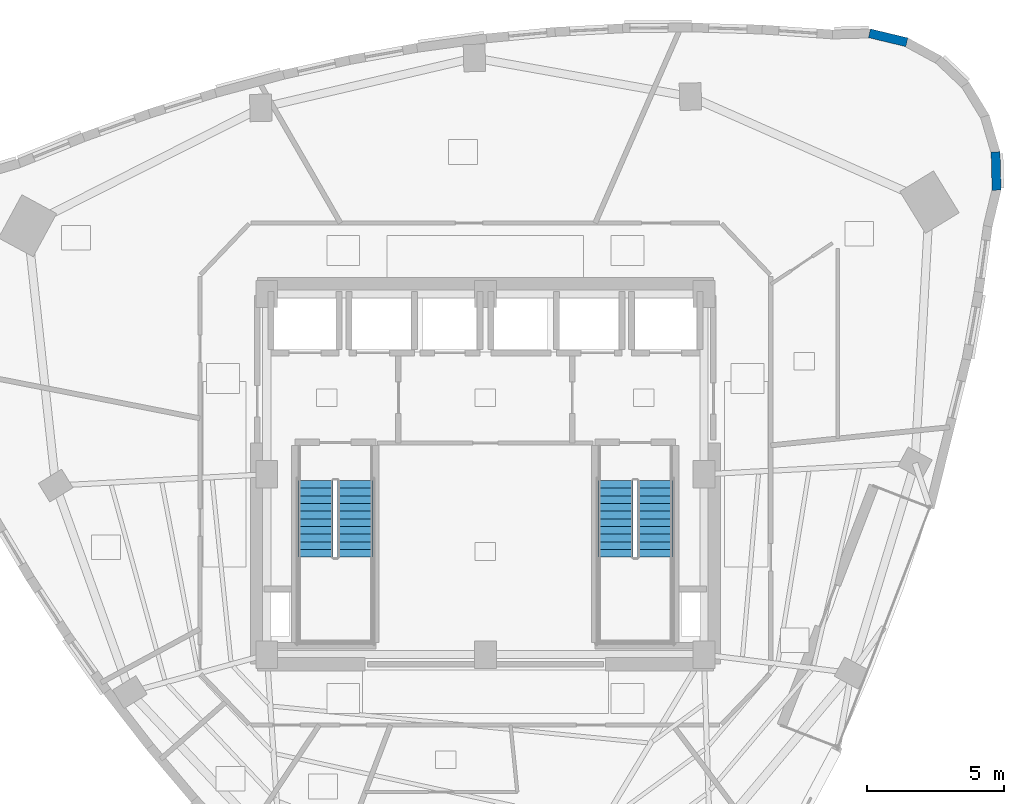
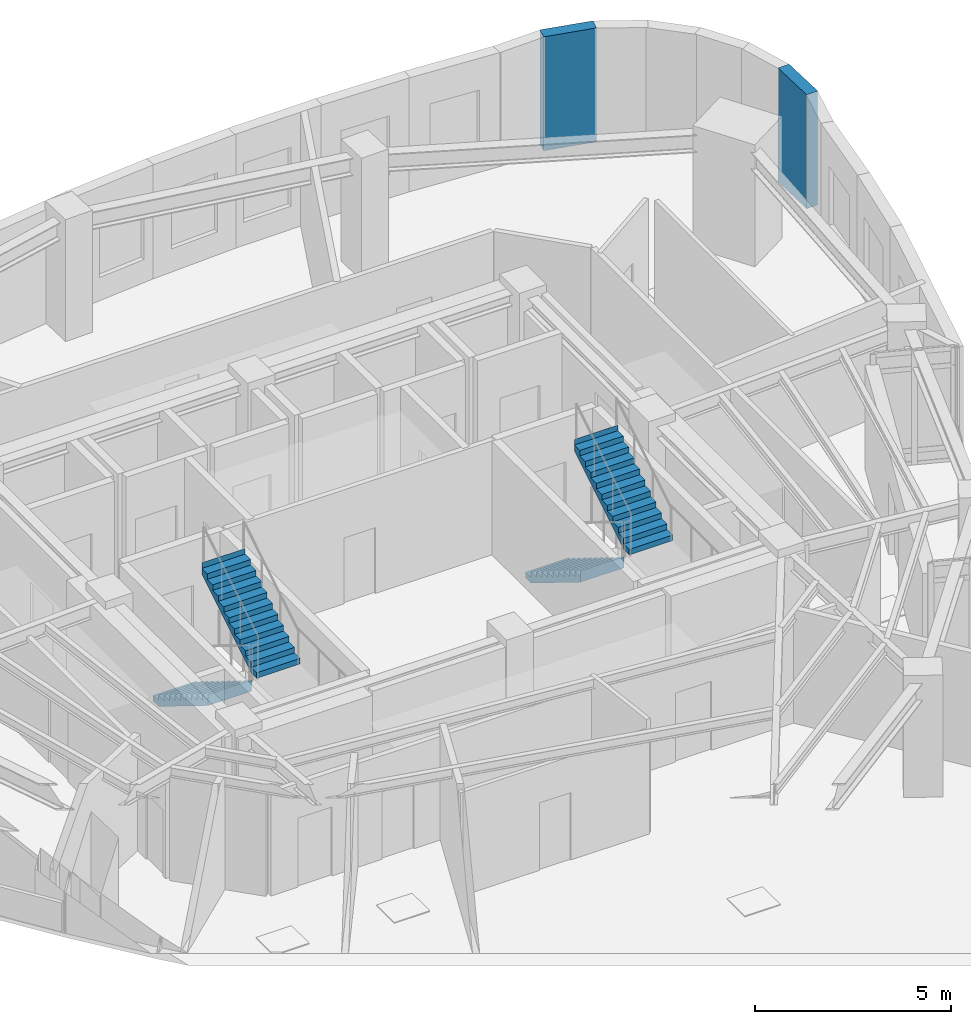
# One storey, part 7 of 10: 4 stair flights, 2 walls, 2 elements without a shape of their own.
"""IFC4 building model written with IfcOpenShell, lengths in metres."""

from ifc_helpers import new_model, si_unit, direction, frame, frame_2d, origin, place, context, subcontext, project, spatial, polyline, rectangle, outline, extrude, material, layer, layer_set, type_object, element, aggregate, save


model = new_model("IFC4")

# Units and contexts
model_context = context("Model", 3, precision=1e-05, world=origin(), true_north=direction((0.0, 1.0)))
body_context = subcontext(model_context, "Body", "Model", "MODEL_VIEW")
ifc_project = project(units=[si_unit("LENGTHUNIT", "METRE"), si_unit("AREAUNIT", "SQUARE_METRE"), si_unit("VOLUMEUNIT", "CUBIC_METRE"), si_unit("PLANEANGLEUNIT", "RADIAN"), si_unit("MASSUNIT", "GRAM", prefix="KILO")], contexts=[model_context])

# Site, building, storey
site_placement = place(None, origin())
site = spatial("IfcSite", under=ifc_project, at=site_placement, CompositionType="ELEMENT")
building_placement = place(site_placement, origin())
building = spatial("IfcBuilding", under=site, at=building_placement, Name="Ndelora Gate Hotel", CompositionType="ELEMENT")
storey_placement = place(building_placement, frame((0.0, 0.0, 247.35009765625)))
storey = spatial("IfcBuildingStorey", under=building, at=storey_placement, Name="L62", CompositionType="ELEMENT", Elevation=247.35009765625)

# Walls
ifc_material_1 = material(Name="Clay Brick Masonry", Category="masonry")
ifc_layer = layer(ifc_material_1, 0.330078125)
ifc_layer_set = layer_set([ifc_layer], Name="Clay Brick Masonry")
wall_type = type_object("IfcWallType", Name="WL-BRICK-330", PredefinedType="SOLIDWALL", material=ifc_layer_set)
wall_1_placement = place(storey_placement, frame((18.6796875, 11.806396484375, 0.0), z_axis=(0.0, 0.0, 1.0), x_axis=(0.02619264168, -0.999656913907, 0.0)))
element("IfcWall", 1, at=wall_1_placement, inside=storey, type_object=wall_type, Name="L62 Tower Brick Pier-and-Spandrel Wall TWR-40", PredefinedType="SOLIDWALL", context=body_context, shape_type="SweptSolid", body=[
    extrude(rectangle(XDim=1.407470703125, YDim=0.330078125, at=frame_2d((0.70361328125, 0.0))), origin(), (0.0, 0.0, 1.0), 3.5498046875),
])
wall_2_placement = place(storey_placement, frame((14.063720703125, 16.145263671875, 0.0), z_axis=(0.0, 0.0, 1.0), x_axis=(0.972395175274, -0.233340144647, 0.0)))
element("IfcWall", 2, at=wall_2_placement, inside=storey, type_object=wall_type, Name="L62 Tower Brick Pier-and-Spandrel Wall TWR-45", PredefinedType="SOLIDWALL", context=body_context, shape_type="SweptSolid", body=[
    extrude(rectangle(XDim=1.4072265625, YDim=0.330078125, at=frame_2d((0.70361328125, 0.0))), origin(), (0.0, 0.0, 1.0), 3.5498046875),
])

# Stair, stair flights
ifc_material_2 = material(Name="Precast concrete C40/50", Category="concrete")
stair_type = type_object("IfcStairType", Name="STR-DOG-CORE", PredefinedType="HALF_TURN_STAIR", material=ifc_material_2)
stair_1_placement = place(storey_placement, origin())
stair_1 = element("IfcStair", 3, at=stair_1_placement, inside=storey, type_object=stair_type, Name="L62 Protected Core Exit Stair ST4", PredefinedType="HALF_TURN_STAIR")
stair_flight_type = type_object("IfcStairFlightType", Name="STF-PRECAST", PredefinedType="STRAIGHT", material=ifc_material_2)
stair_flight_1_placement = place(storey_placement, frame((-6.2099609375, -0.22998046875, 0.0), z_axis=(0.0, 0.0, 1.0), x_axis=(0.0, -1.0, 0.0)))
stair_flight_1 = element("IfcStairFlight", 4, at=stair_flight_1_placement, type_object=stair_flight_type, Name="ST4 flight 1", NumberOfRisers=11, NumberOfTreads=10, PredefinedType="STRAIGHT", RiserHeight=0.172727273, TreadLength=0.28, context=body_context, shape_type="SweptSolid", body=[
    extrude(outline(polyline([(-0.00048828125, 0.0), (-0.00048828125, 0.172607421875), (0.0, 0.172607421875), (0.280029296875, 0.172607421875), (0.280029296875, 0.345458984375), (0.56005859375, 0.345458984375), (0.56005859375, 0.51806640625), (0.840087890625, 0.51806640625), (0.840087890625, 0.69091796875), (1.1201171875, 0.69091796875), (1.1201171875, 0.863525390625), (1.39990234375, 0.863525390625), (1.39990234375, 1.036376953125), (1.679931640625, 1.036376953125), (1.679931640625, 1.208984375), (1.9599609375, 1.208984375), (1.9599609375, 1.3818359375), (2.239990234375, 1.3818359375), (2.239990234375, 1.554443359375), (2.52001953125, 1.554443359375), (2.52001953125, 1.727294921875), (2.800048828125, 1.727294921875), (2.800048828125, 1.89990234375), (2.800537109375, 1.89990234375), (2.800537109375, 1.719970703125), (2.800048828125, 1.551025390625), (0.285400390625, 0.0), (-0.00048828125, 0.0)])), frame((0.0, 0.64013671875, 0.0), z_axis=(0.0, -1.0, 0.0), x_axis=(1.0, 0.0, 0.0)), (0.0, 0.0, 1.0), 1.280029296875),
])
stair_flight_2_placement = place(storey_placement, frame((-4.77001953125, -3.030029296875, 1.89990234375), z_axis=(0.0, 0.0, 1.0), x_axis=(0.0, 1.0, 0.0)))
stair_flight_2 = element("IfcStairFlight", 5, at=stair_flight_2_placement, type_object=stair_flight_type, Name="ST4 flight 2", NumberOfRisers=11, NumberOfTreads=10, PredefinedType="STRAIGHT", RiserHeight=0.172727273, TreadLength=0.28, context=body_context, shape_type="SweptSolid", body=[
    extrude(outline(polyline([(-0.00048828125, 0.0), (-0.00048828125, 0.172607421875), (0.0, 0.172607421875), (0.280029296875, 0.172607421875), (0.280029296875, 0.345458984375), (0.56005859375, 0.345458984375), (0.56005859375, 0.51806640625), (0.840087890625, 0.51806640625), (0.840087890625, 0.69091796875), (1.1201171875, 0.69091796875), (1.1201171875, 0.863525390625), (1.39990234375, 0.863525390625), (1.39990234375, 1.036376953125), (1.679931640625, 1.036376953125), (1.679931640625, 1.208984375), (1.9599609375, 1.208984375), (1.9599609375, 1.3818359375), (2.239990234375, 1.3818359375), (2.239990234375, 1.554443359375), (2.52001953125, 1.554443359375), (2.52001953125, 1.727294921875), (2.800048828125, 1.727294921875), (2.800048828125, 1.89990234375), (2.800537109375, 1.89990234375), (2.800537109375, 1.719970703125), (2.800048828125, 1.551025390625), (0.285400390625, 0.0), (-0.00048828125, 0.0)])), frame((0.0, 0.64013671875, 0.0), z_axis=(0.0, -1.0, 0.0), x_axis=(1.0, 0.0, 0.0)), (0.0, 0.0, 1.0), 1.280029296875),
])
aggregate(stair_1, [stair_flight_1, stair_flight_2])

stair_2_placement = place(storey_placement, origin())
stair_2 = element("IfcStair", 6, at=stair_2_placement, inside=storey, type_object=stair_type, Name="L62 Protected Core Exit Stair ST5", PredefinedType="HALF_TURN_STAIR")
stair_flight_3_placement = place(storey_placement, frame((4.77001953125, -0.22998046875, 0.0), z_axis=(0.0, 0.0, 1.0), x_axis=(0.0, -1.0, 0.0)))
stair_flight_3 = element("IfcStairFlight", 7, at=stair_flight_3_placement, type_object=stair_flight_type, Name="ST5 flight 1", NumberOfRisers=11, NumberOfTreads=10, PredefinedType="STRAIGHT", RiserHeight=0.172727273, TreadLength=0.28, context=body_context, shape_type="SweptSolid", body=[
    extrude(outline(polyline([(-0.00048828125, 0.0), (-0.00048828125, 0.172607421875), (0.0, 0.172607421875), (0.280029296875, 0.172607421875), (0.280029296875, 0.345458984375), (0.56005859375, 0.345458984375), (0.56005859375, 0.51806640625), (0.840087890625, 0.51806640625), (0.840087890625, 0.69091796875), (1.1201171875, 0.69091796875), (1.1201171875, 0.863525390625), (1.39990234375, 0.863525390625), (1.39990234375, 1.036376953125), (1.679931640625, 1.036376953125), (1.679931640625, 1.208984375), (1.9599609375, 1.208984375), (1.9599609375, 1.3818359375), (2.239990234375, 1.3818359375), (2.239990234375, 1.554443359375), (2.52001953125, 1.554443359375), (2.52001953125, 1.727294921875), (2.800048828125, 1.727294921875), (2.800048828125, 1.89990234375), (2.800537109375, 1.89990234375), (2.800537109375, 1.719970703125), (2.800048828125, 1.551025390625), (0.285400390625, 0.0), (-0.00048828125, 0.0)])), frame((0.0, 0.64013671875, 0.0), z_axis=(0.0, -1.0, 0.0), x_axis=(1.0, 0.0, 0.0)), (0.0, 0.0, 1.0), 1.280029296875),
])
stair_flight_4_placement = place(storey_placement, frame((6.2099609375, -3.030029296875, 1.89990234375), z_axis=(0.0, 0.0, 1.0), x_axis=(0.0, 1.0, 0.0)))
stair_flight_4 = element("IfcStairFlight", 8, at=stair_flight_4_placement, type_object=stair_flight_type, Name="ST5 flight 2", NumberOfRisers=11, NumberOfTreads=10, PredefinedType="STRAIGHT", RiserHeight=0.172727273, TreadLength=0.28, context=body_context, shape_type="SweptSolid", body=[
    extrude(outline(polyline([(-0.00048828125, 0.0), (-0.00048828125, 0.172607421875), (0.0, 0.172607421875), (0.280029296875, 0.172607421875), (0.280029296875, 0.345458984375), (0.56005859375, 0.345458984375), (0.56005859375, 0.51806640625), (0.840087890625, 0.51806640625), (0.840087890625, 0.69091796875), (1.1201171875, 0.69091796875), (1.1201171875, 0.863525390625), (1.39990234375, 0.863525390625), (1.39990234375, 1.036376953125), (1.679931640625, 1.036376953125), (1.679931640625, 1.208984375), (1.9599609375, 1.208984375), (1.9599609375, 1.3818359375), (2.239990234375, 1.3818359375), (2.239990234375, 1.554443359375), (2.52001953125, 1.554443359375), (2.52001953125, 1.727294921875), (2.800048828125, 1.727294921875), (2.800048828125, 1.89990234375), (2.800537109375, 1.89990234375), (2.800537109375, 1.719970703125), (2.800048828125, 1.551025390625), (0.285400390625, 0.0), (-0.00048828125, 0.0)])), frame((0.0, 0.64013671875, 0.0), z_axis=(0.0, -1.0, 0.0), x_axis=(1.0, 0.0, 0.0)), (0.0, 0.0, 1.0), 1.280029296875),
])
aggregate(stair_2, [stair_flight_3, stair_flight_4])

save(model, "model.ifc")
